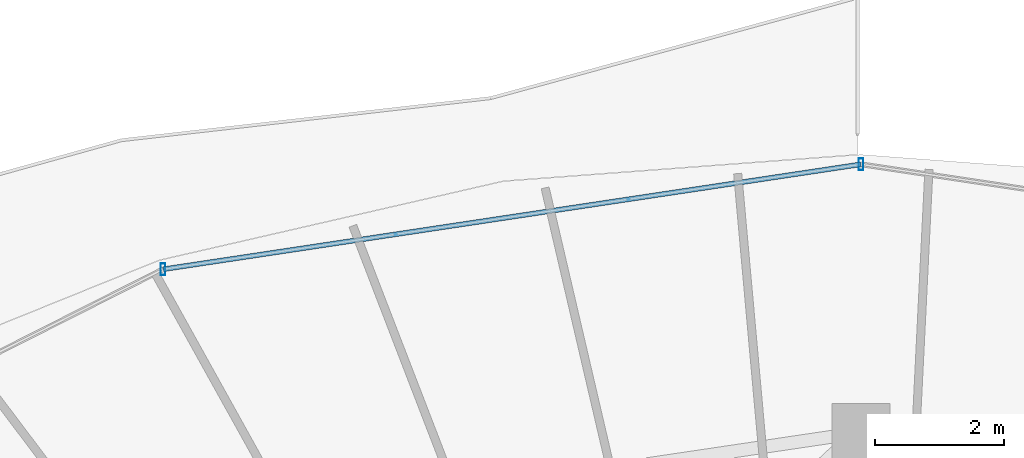
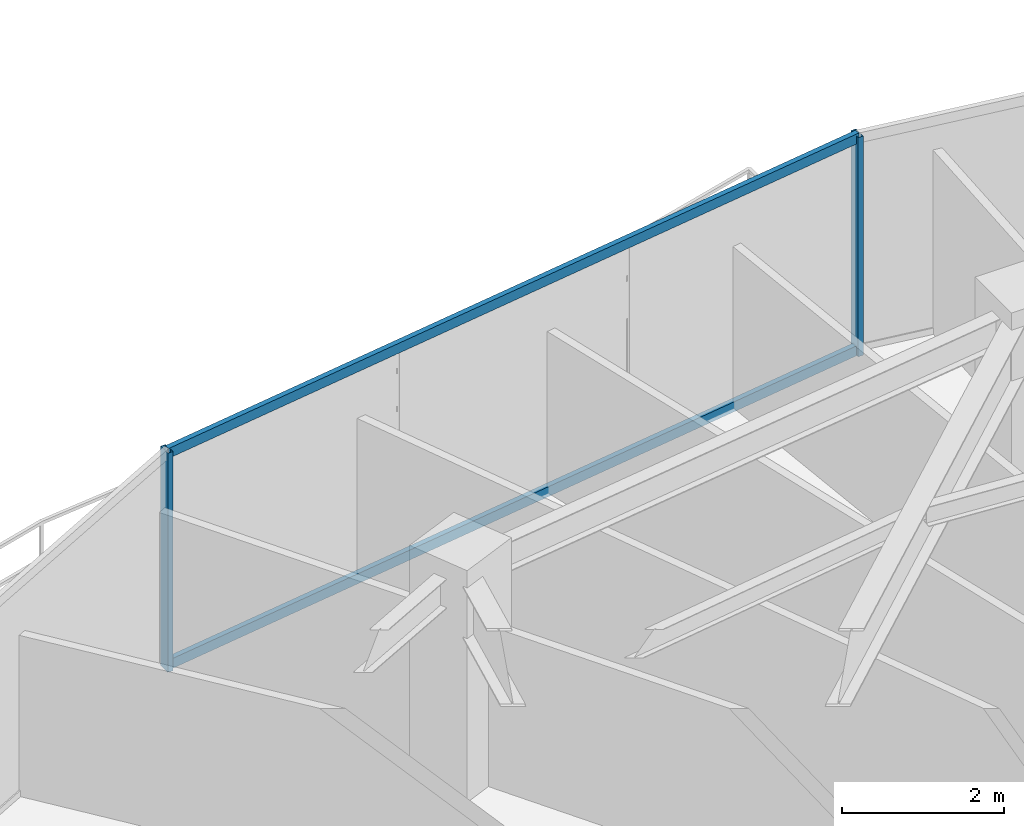
# One storey, part 20 of 33: 4 members, 1 element without a shape of its own.
"""IFC4 building model written with IfcOpenShell, lengths in metres."""

from ifc_helpers import new_model, si_unit, direction, frame, origin, origin_2d, place, context, subcontext, project, spatial, hollow_rectangle, extrude, material, material_profile, profile_set, type_object, element, aggregate, save


model = new_model("IFC4")

# Units and contexts
model_context = context("Model", 3, precision=1e-05, world=origin(), true_north=direction((0.0, 1.0)))
body_context = subcontext(model_context, "Body", "Model", "MODEL_VIEW")
ifc_project = project(units=[si_unit("LENGTHUNIT", "METRE"), si_unit("AREAUNIT", "SQUARE_METRE"), si_unit("VOLUMEUNIT", "CUBIC_METRE"), si_unit("PLANEANGLEUNIT", "RADIAN"), si_unit("MASSUNIT", "GRAM", prefix="KILO")], contexts=[model_context])

# Site, building, storey
site_placement = place(None, origin())
site = spatial("IfcSite", under=ifc_project, at=site_placement, CompositionType="ELEMENT")
building_placement = place(site_placement, origin())
building = spatial("IfcBuilding", under=site, at=building_placement, Name="Vorneva Point Tower", CompositionType="ELEMENT")
storey_placement = place(building_placement, frame((0.0, 0.0, 196.60009765625)))
storey = spatial("IfcBuildingStorey", under=building, at=storey_placement, Name="L53", CompositionType="ELEMENT", Elevation=196.60009765625)

# Curtain wall, members
ifc_material = material(Name="Pale anodised aluminium", Category="aluminium")
curtain_wall_type = type_object("IfcCurtainWallType", Name="CW-RES-SYS", PredefinedType="NOTDEFINED", material=ifc_material)
curtain_wall_placement = place(storey_placement, origin())
curtain_wall = element("IfcCurtainWall", 1, at=curtain_wall_placement, inside=storey, type_object=curtain_wall_type, Name="L53 Unitised Curtain Wall CW-L53-R02", PredefinedType="NOTDEFINED")
ifc_material_profile_1 = material_profile(ifc_material, hollow_rectangle(XDim=0.074951171875, YDim=0.179931640625, WallThickness=0.00390625, at=origin_2d()), Name="AL-MUL 180x75x4")
ifc_profile_set_1 = profile_set([ifc_material_profile_1], Name="Pale anodised aluminium")
member_type_1 = type_object("IfcMemberType", Name="CW-MUL-180", PredefinedType="MULLION", material=ifc_profile_set_1)
member_1_placement = place(storey_placement, frame((38.0, 47.35009765625, -0.0400390625), z_axis=(0.0, 0.0, 1.0), x_axis=(1.0, 0.0, 0.0)))
member_1 = element("IfcMember", 2, at=member_1_placement, type_object=member_type_1, Name="CW-L53-R02 Mullion 03", PredefinedType="MULLION", context=body_context, shape_type="SweptSolid", body=[
    extrude(hollow_rectangle(XDim=0.074951171875, YDim=0.179931640625, WallThickness=0.00390625, at=origin_2d()), origin(), (0.0, 0.0, 1.0), 3.31005859375),
])
member_2_placement = place(storey_placement, frame((27.19677734375, 45.724853515625, -0.0400390625), z_axis=(0.0, 0.0, 1.0), x_axis=(1.0, 0.0, 0.0)))
member_2 = element("IfcMember", 3, at=member_2_placement, type_object=member_type_1, Name="CW-L53-R02 Mullion 04", PredefinedType="MULLION", context=body_context, shape_type="SweptSolid", body=[
    extrude(hollow_rectangle(XDim=0.074951171875, YDim=0.179931640625, WallThickness=0.00390625, at=origin_2d()), origin(), (0.0, 0.0, 1.0), 3.31005859375),
])
ifc_material_profile_2 = material_profile(ifc_material, hollow_rectangle(XDim=0.074951171875, YDim=0.14990234375, WallThickness=0.00390625, at=origin_2d()), Name="AL-TRN 150x75x4")
ifc_profile_set_2 = profile_set([ifc_material_profile_2], Name="Pale anodised aluminium")
member_type_2 = type_object("IfcMemberType", Name="CW-TRN-150", PredefinedType="USERDEFINED", material=ifc_profile_set_2)
member_3_placement = place(storey_placement, frame((38.0, 47.35009765625, 0.02001953125), z_axis=(-0.988872333273, -0.148766624239, 0.0), x_axis=(0.148766624239, -0.988872333273, 0.0)))
member_3 = element("IfcMember", 4, at=member_3_placement, type_object=member_type_2, Name="CW-L53-R02 Transom 03.1", ObjectType="TRANSOM", PredefinedType="USERDEFINED", context=body_context, shape_type="SweptSolid", body=[
    extrude(hollow_rectangle(XDim=0.074951171875, YDim=0.14990234375, WallThickness=0.00390625, at=origin_2d()), origin(), (0.0, 0.0, 1.0), 10.9248046875),
])
member_4_placement = place(storey_placement, frame((38.0, 47.35009765625, 3.219970703125), z_axis=(-0.988872333273, -0.148766624239, 0.0), x_axis=(0.148766624239, -0.988872333273, 0.0)))
member_4 = element("IfcMember", 5, at=member_4_placement, type_object=member_type_2, Name="CW-L53-R02 Transom 03.2", ObjectType="TRANSOM", PredefinedType="USERDEFINED", context=body_context, shape_type="SweptSolid", body=[
    extrude(hollow_rectangle(XDim=0.074951171875, YDim=0.14990234375, WallThickness=0.00390625, at=origin_2d()), origin(), (0.0, 0.0, 1.0), 10.9248046875),
])
aggregate(curtain_wall, [member_1, member_2, member_3, member_4])

save(model, "model.ifc")
